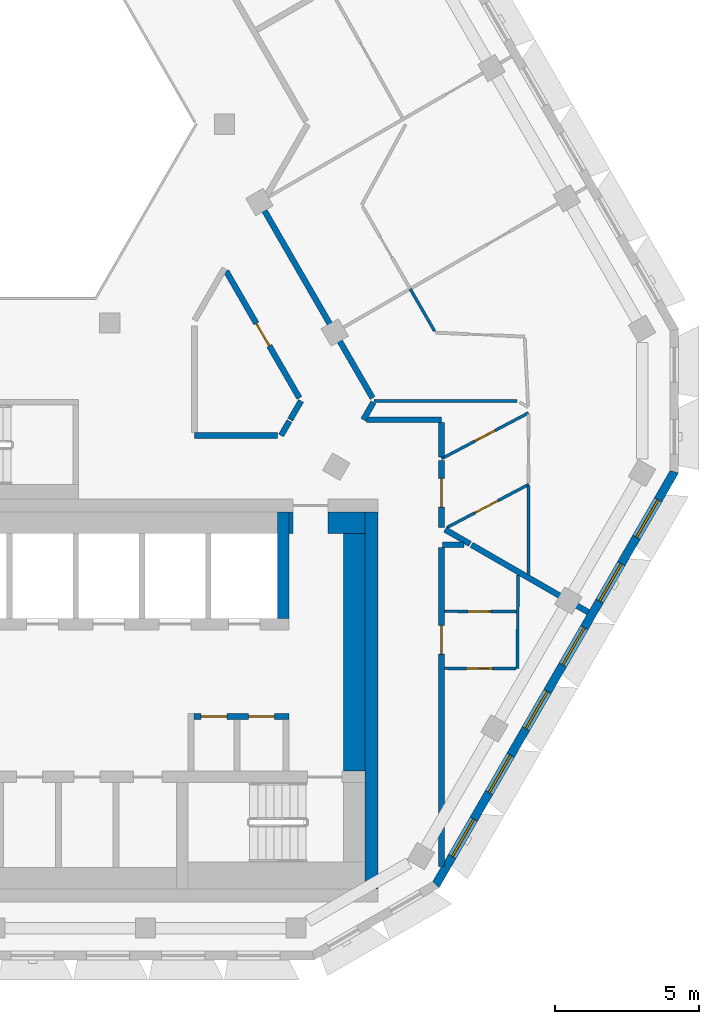
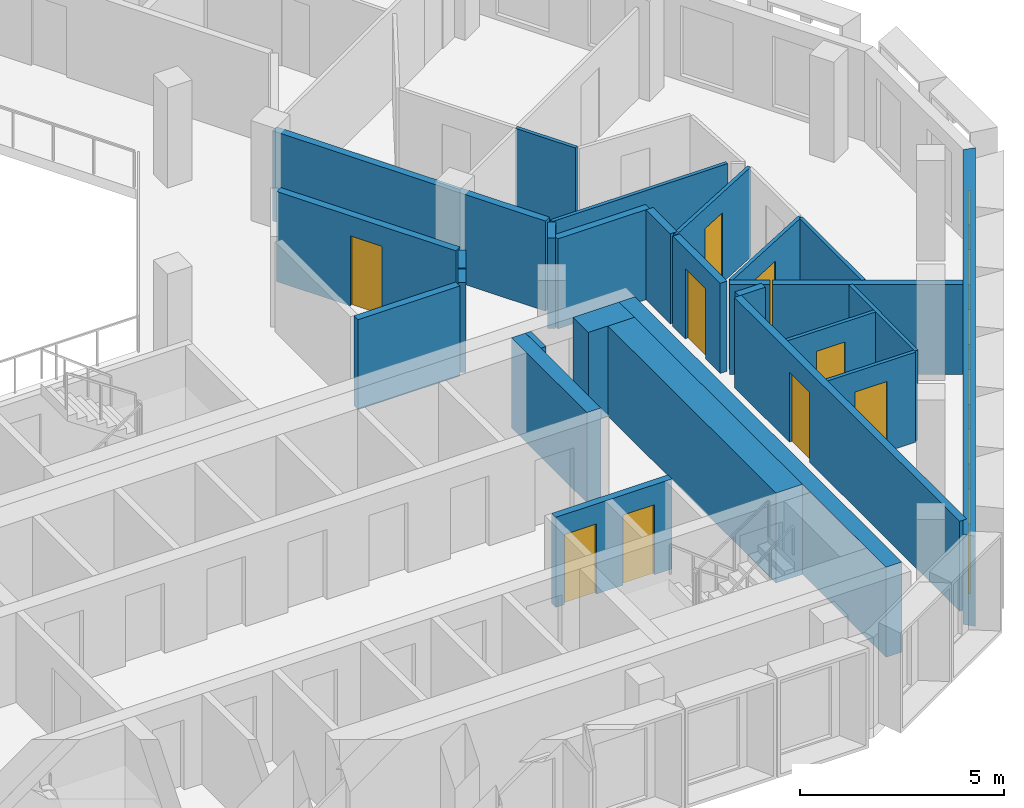
# One storey, part 6 of 16: 28 walls, 9 doors, 6 windows, 15 openings.
"""IFC4 building model written with IfcOpenShell, lengths in metres."""

from ifc_helpers import new_model, si_unit, direction, frame, frame_2d, origin, place, context, subcontext, project, spatial, polyline, rectangle, outline, extrude, material, layer, layer_set, type_object, element, fill, save


model = new_model("IFC4")

# Units and contexts
model_context = context("Model", 3, precision=1e-05, world=origin(), true_north=direction((0.0, 1.0)))
body_context = subcontext(model_context, "Body", "Model", "MODEL_VIEW")
ifc_project = project(units=[si_unit("LENGTHUNIT", "METRE"), si_unit("AREAUNIT", "SQUARE_METRE"), si_unit("VOLUMEUNIT", "CUBIC_METRE"), si_unit("PLANEANGLEUNIT", "RADIAN"), si_unit("MASSUNIT", "GRAM", prefix="KILO")], contexts=[model_context])

# Site, building, storey
site_placement = place(None, origin())
site = spatial("IfcSite", under=ifc_project, at=site_placement, CompositionType="ELEMENT")
building_placement = place(site_placement, origin())
building = spatial("IfcBuilding", under=site, at=building_placement, Name="Beryl Residences", CompositionType="ELEMENT")
storey_placement = place(building_placement, frame((0.0, 0.0, 226.800048828125)))
storey = spatial("IfcBuildingStorey", under=building, at=storey_placement, Name="L70", CompositionType="ELEMENT", Elevation=226.800048828125)

# Wall, openings, windows
ifc_material_1 = material(Name="Composite metal panel with mineral wool insulation")
ifc_layer_1 = layer(ifc_material_1, 0.300048828125)
ifc_layer_set_1 = layer_set([ifc_layer_1], Name="ES1 pale metal composite panel wall 300 mm")
wall_type_1 = type_object("IfcWallType", Name="ES1 pale metal composite panel wall 300 mm", PredefinedType="SOLIDWALL", material=ifc_layer_set_1)
wall_1_placement = place(storey_placement, frame((15.284912109375, -18.425048828125, 0.0), z_axis=(0.0, 0.0, 1.0), x_axis=(0.500012653391, 0.866018098222, 0.0)))
wall_1 = element("IfcWall", 1, at=wall_1_placement, inside=storey, type_object=wall_type_1, Name="ES1 external wall L70 SE", PredefinedType="SOLIDWALL", context=body_context, shape_type="SweptSolid", body=[
    extrude(outline(polyline([(0.0, -0.14990234375), (16.6279296875, -0.14990234375), (16.547607421875, 0.14990234375), (0.080322265625, 0.14990234375), (0.0, -0.14990234375)])), origin(), (0.0, 0.0, 1.0), 2.699951171875),
])
opening_1_placement = place(wall_1_placement, frame((1.1650390625, 0.0, 0.14990234375)))
opening_1 = element("IfcOpeningElement", 2, at=opening_1_placement, cuts=wall_1, Name="Opening W1", PredefinedType="OPENING", context=body_context, shape_type="SweptSolid", body=[
    extrude(rectangle(XDim=1.5, YDim=2.10009765625, at=frame_2d((0.75, 1.050048828125))), frame((0.0, 0.159912109375, 0.0), z_axis=(0.0, -1.0, 0.0), x_axis=(1.0, 0.0, 0.0)), (0.0, 0.0, 1.0), 0.320068359375),
])
opening_2_placement = place(wall_1_placement, frame((3.72412109375, 0.0, 0.14990234375)))
opening_2 = element("IfcOpeningElement", 3, at=opening_2_placement, cuts=wall_1, Name="Opening W1", PredefinedType="OPENING", context=body_context, shape_type="SweptSolid", body=[
    extrude(rectangle(XDim=1.5, YDim=2.10009765625, at=frame_2d((0.75, 1.050048828125))), frame((0.0, 0.159912109375, 0.0), z_axis=(0.0, -1.0, 0.0), x_axis=(1.0, 0.0, 0.0)), (0.0, 0.0, 1.0), 0.320068359375),
])
opening_3_placement = place(wall_1_placement, frame((6.282958984375, 0.0, 0.14990234375)))
opening_3 = element("IfcOpeningElement", 4, at=opening_3_placement, cuts=wall_1, Name="Opening W1", PredefinedType="OPENING", context=body_context, shape_type="SweptSolid", body=[
    extrude(rectangle(XDim=1.5, YDim=2.10009765625, at=frame_2d((0.75, 1.050048828125))), frame((0.0, 0.159912109375, 0.0), z_axis=(0.0, -1.0, 0.0), x_axis=(1.0, 0.0, 0.0)), (0.0, 0.0, 1.0), 0.320068359375),
])
opening_4_placement = place(wall_1_placement, frame((8.843017578125, 0.0, 0.14990234375)))
opening_4 = element("IfcOpeningElement", 5, at=opening_4_placement, cuts=wall_1, Name="Opening W1", PredefinedType="OPENING", context=body_context, shape_type="SweptSolid", body=[
    extrude(rectangle(XDim=1.5, YDim=2.10009765625, at=frame_2d((0.75, 1.050048828125))), frame((0.0, 0.159912109375, 0.0), z_axis=(0.0, -1.0, 0.0), x_axis=(1.0, 0.0, 0.0)), (0.0, 0.0, 1.0), 0.320068359375),
])
opening_5_placement = place(wall_1_placement, frame((11.402099609375, 0.0, 0.14990234375)))
opening_5 = element("IfcOpeningElement", 6, at=opening_5_placement, cuts=wall_1, Name="Opening W1", PredefinedType="OPENING", context=body_context, shape_type="SweptSolid", body=[
    extrude(rectangle(XDim=1.5, YDim=2.10009765625, at=frame_2d((0.75, 1.050048828125))), frame((0.0, 0.159912109375, 0.0), z_axis=(0.0, -1.0, 0.0), x_axis=(1.0, 0.0, 0.0)), (0.0, 0.0, 1.0), 0.320068359375),
])
opening_6_placement = place(wall_1_placement, frame((13.9619140625, 0.0, 0.14990234375)))
opening_6 = element("IfcOpeningElement", 7, at=opening_6_placement, cuts=wall_1, Name="Opening W1", PredefinedType="OPENING", context=body_context, shape_type="SweptSolid", body=[
    extrude(rectangle(XDim=1.5, YDim=2.10009765625, at=frame_2d((0.75, 1.050048828125))), frame((0.0, 0.159912109375, 0.0), z_axis=(0.0, -1.0, 0.0), x_axis=(1.0, 0.0, 0.0)), (0.0, 0.0, 1.0), 0.320068359375),
])
ifc_material_2 = material(Name="Aluminium and clear glass", Category="aluminium")
window_type = type_object("IfcWindowType", Name="W1 cell window 1500 x 2100 mm", PartitioningType="SINGLE_PANEL", PredefinedType="WINDOW", material=ifc_material_2)
window_1_placement = place(opening_1_placement, origin())
window_1 = element("IfcWindow", 8, at=window_1_placement, inside=storey, type_object=window_type, Name="W1 window L70 SE 1", OverallHeight=2.10009765625, OverallWidth=1.5, PartitioningType="SINGLE_PANEL", PredefinedType="WINDOW", context=body_context, shape_type="SweptSolid", body=[
    extrude(rectangle(XDim=1.5, YDim=2.10009765625, at=frame_2d((0.75, 1.050048828125))), frame((0.0, 0.030029296875, 0.0), z_axis=(0.0, -1.0, 0.0), x_axis=(1.0, 0.0, 0.0)), (0.0, 0.0, 1.0), 0.06005859375),
])
fill(opening_1, window_1)
window_2_placement = place(opening_2_placement, origin())
window_2 = element("IfcWindow", 9, at=window_2_placement, inside=storey, type_object=window_type, Name="W1 window L70 SE 2", OverallHeight=2.10009765625, OverallWidth=1.5, PartitioningType="SINGLE_PANEL", PredefinedType="WINDOW", context=body_context, shape_type="SweptSolid", body=[
    extrude(rectangle(XDim=1.5, YDim=2.10009765625, at=frame_2d((0.75, 1.050048828125))), frame((0.0, 0.030029296875, 0.0), z_axis=(0.0, -1.0, 0.0), x_axis=(1.0, 0.0, 0.0)), (0.0, 0.0, 1.0), 0.06005859375),
])
fill(opening_2, window_2)
window_3_placement = place(opening_3_placement, origin())
window_3 = element("IfcWindow", 10, at=window_3_placement, inside=storey, type_object=window_type, Name="W1 window L70 SE 3", OverallHeight=2.10009765625, OverallWidth=1.5, PartitioningType="SINGLE_PANEL", PredefinedType="WINDOW", context=body_context, shape_type="SweptSolid", body=[
    extrude(rectangle(XDim=1.5, YDim=2.10009765625, at=frame_2d((0.75, 1.050048828125))), frame((0.0, 0.030029296875, 0.0), z_axis=(0.0, -1.0, 0.0), x_axis=(1.0, 0.0, 0.0)), (0.0, 0.0, 1.0), 0.06005859375),
])
fill(opening_3, window_3)
window_4_placement = place(opening_4_placement, origin())
window_4 = element("IfcWindow", 11, at=window_4_placement, inside=storey, type_object=window_type, Name="W1 window L70 SE 4", OverallHeight=2.10009765625, OverallWidth=1.5, PartitioningType="SINGLE_PANEL", PredefinedType="WINDOW", context=body_context, shape_type="SweptSolid", body=[
    extrude(rectangle(XDim=1.5, YDim=2.10009765625, at=frame_2d((0.75, 1.050048828125))), frame((0.0, 0.030029296875, 0.0), z_axis=(0.0, -1.0, 0.0), x_axis=(1.0, 0.0, 0.0)), (0.0, 0.0, 1.0), 0.06005859375),
])
fill(opening_4, window_4)
window_5_placement = place(opening_5_placement, origin())
window_5 = element("IfcWindow", 12, at=window_5_placement, inside=storey, type_object=window_type, Name="W1 window L70 SE 5", OverallHeight=2.10009765625, OverallWidth=1.5, PartitioningType="SINGLE_PANEL", PredefinedType="WINDOW", context=body_context, shape_type="SweptSolid", body=[
    extrude(rectangle(XDim=1.5, YDim=2.10009765625, at=frame_2d((0.75, 1.050048828125))), frame((0.0, 0.030029296875, 0.0), z_axis=(0.0, -1.0, 0.0), x_axis=(1.0, 0.0, 0.0)), (0.0, 0.0, 1.0), 0.06005859375),
])
fill(opening_5, window_5)
window_6_placement = place(opening_6_placement, origin())
window_6 = element("IfcWindow", 13, at=window_6_placement, inside=storey, type_object=window_type, Name="W1 window L70 SE 6", OverallHeight=2.10009765625, OverallWidth=1.5, PartitioningType="SINGLE_PANEL", PredefinedType="WINDOW", context=body_context, shape_type="SweptSolid", body=[
    extrude(rectangle(XDim=1.5, YDim=2.10009765625, at=frame_2d((0.75, 1.050048828125))), frame((0.0, 0.030029296875, 0.0), z_axis=(0.0, -1.0, 0.0), x_axis=(1.0, 0.0, 0.0)), (0.0, 0.0, 1.0), 0.06005859375),
])
fill(opening_6, window_6)

# Wall, opening, door
ifc_material_3 = material(Name="Gypsum board partition on steel studs", Category="steel")
ifc_layer_2 = layer(ifc_material_3, 0.10009765625)
ifc_layer_set_2 = layer_set([ifc_layer_2], Name="PT1 partition 100 mm gypsum board on steel studs")
wall_type_2 = type_object("IfcWallType", Name="PT1 partition 100 mm gypsum board on steel studs", PredefinedType="PARTITIONING", material=ifc_layer_set_2)
wall_2_placement = place(storey_placement, frame((15.60009765625, -8.90087890625, 0.0), z_axis=(0.0, 0.0, 1.0), x_axis=(0.999986038514, -0.005284200615, 0.0)))
wall_2 = element("IfcWall", 14, at=wall_2_placement, inside=storey, type_object=wall_type_2, Name="Wall PT1 L70 001", PredefinedType="PARTITIONING", context=body_context, shape_type="SweptSolid", body=[
    extrude(rectangle(XDim=2.494873046875, YDim=0.10009765625, at=frame_2d((1.24755859375, 0.0))), origin(), (0.0, 0.0, 1.0), 2.699951171875),
])
opening_7_placement = place(wall_2_placement, frame((0.822998046875, 0.0, 0.0)))
opening_7 = element("IfcOpeningElement", 15, at=opening_7_placement, cuts=wall_2, Name="Opening D1903", PredefinedType="OPENING", context=body_context, shape_type="SweptSolid", body=[
    extrude(rectangle(XDim=0.800048828125, YDim=2.10009765625, at=frame_2d((0.39990234375, 1.050048828125))), frame((0.0, 0.06005859375, 0.0), z_axis=(0.0, -1.0, 0.0), x_axis=(1.0, 0.0, 0.0)), (0.0, 0.0, 1.0), 0.1201171875),
])
ifc_material_4 = material(Name="Timber door leaf", Category="wood")
door_type_1 = type_object("IfcDoorType", Name="D3 bathroom door 800 x 2100 mm", OperationType="SINGLE_SWING_LEFT", PredefinedType="DOOR", material=ifc_material_4)
door_1_placement = place(opening_7_placement, origin())
door_1 = element("IfcDoor", 16, at=door_1_placement, inside=storey, type_object=door_type_1, Name="Door D1903 L70 001", OperationType="SINGLE_SWING_LEFT", OverallHeight=2.10009765625, OverallWidth=0.800048828125, PredefinedType="DOOR", context=body_context, shape_type="SweptSolid", body=[
    extrude(rectangle(XDim=0.800048828125, YDim=2.10009765625, at=frame_2d((0.39990234375, 1.050048828125))), frame((0.0, 0.02490234375, 0.0), z_axis=(0.0, -1.0, 0.0), x_axis=(1.0, 0.0, 0.0)), (0.0, 0.0, 1.0), 0.050048828125),
])
fill(opening_7, door_1)

wall_3_placement = place(storey_placement, frame((15.60009765625, -10.881103515625, 0.0), z_axis=(0.0, 0.0, 1.0), x_axis=(0.999986431575, -0.005209286502, 0.0)))
wall_3 = element("IfcWall", 17, at=wall_3_placement, inside=storey, type_object=wall_type_2, Name="Wall PT1 L70 002", PredefinedType="PARTITIONING", context=body_context, shape_type="SweptSolid", body=[
    extrude(rectangle(XDim=2.48388671875, YDim=0.10009765625, at=frame_2d((1.241943359375, 0.0))), origin(), (0.0, 0.0, 1.0), 2.699951171875),
])
opening_8_placement = place(wall_3_placement, frame((0.76806640625, 0.0, 0.0)))
opening_8 = element("IfcOpeningElement", 18, at=opening_8_placement, cuts=wall_3, Name="Opening D1902", PredefinedType="OPENING", context=body_context, shape_type="SweptSolid", body=[
    extrude(rectangle(XDim=0.89990234375, YDim=2.10009765625, at=frame_2d((0.449951171875, 1.050048828125))), frame((0.0, 0.06005859375, 0.0), z_axis=(0.0, -1.0, 0.0), x_axis=(1.0, 0.0, 0.0)), (0.0, 0.0, 1.0), 0.1201171875),
])
ifc_material_5 = material(Name="Timber door leaf", Category="wood")
door_type_2 = type_object("IfcDoorType", Name="D2 room door 900 x 2100 mm", OperationType="SINGLE_SWING_LEFT", PredefinedType="DOOR", material=ifc_material_5)
door_2_placement = place(opening_8_placement, origin())
door_2 = element("IfcDoor", 19, at=door_2_placement, inside=storey, type_object=door_type_2, Name="Door D1902 L70 001", OperationType="SINGLE_SWING_RIGHT", OverallHeight=2.10009765625, OverallWidth=0.89990234375, PredefinedType="DOOR", context=body_context, shape_type="SweptSolid", body=[
    extrude(rectangle(XDim=0.89990234375, YDim=2.10009765625, at=frame_2d((0.449951171875, 1.050048828125))), frame((0.0, 0.02490234375, 0.0), z_axis=(0.0, -1.0, 0.0), x_axis=(1.0, 0.0, 0.0)), (0.0, 0.0, 1.0), 0.050048828125),
])
fill(opening_8, door_2)

# Walls
wall_4_placement = place(storey_placement, frame((13.1630859375, -1.59912109375, 0.0), z_axis=(0.0, 0.0, 1.0), x_axis=(1.0, 0.0, 0.0)))
element("IfcWall", 20, at=wall_4_placement, inside=storey, type_object=wall_type_2, Name="Wall PT1 L70 020", PredefinedType="PARTITIONING", context=body_context, shape_type="SweptSolid", body=[
    extrude(rectangle(XDim=4.9619140625, YDim=0.10009765625, at=frame_2d((2.48095703125, 0.0))), origin(), (0.0, 0.0, 1.0), 2.699951171875),
])
wall_5_placement = place(storey_placement, frame((18.135009765625, -10.89306640625, 0.0), z_axis=(0.0, 0.0, 1.0), x_axis=(0.005255182688, 0.999986191432, 0.0)))
element("IfcWall", 21, at=wall_5_placement, inside=storey, type_object=wall_type_2, Name="Wall PT1 L70 032", PredefinedType="PARTITIONING", context=body_context, shape_type="SweptSolid", body=[
    extrude(rectangle(XDim=3.251953125, YDim=0.10009765625, at=frame_2d((1.6259765625, 0.0))), origin(), (0.0, 0.0, 1.0), 2.699951171875),
])
wall_6_placement = place(storey_placement, frame((18.52392578125, -7.625, 0.0), z_axis=(0.0, 0.0, 1.0), x_axis=(0.0, 1.0, 0.0)))
element("IfcWall", 22, at=wall_6_placement, inside=storey, type_object=wall_type_2, Name="Wall PT1 L70 034", PredefinedType="PARTITIONING", context=body_context, shape_type="SweptSolid", body=[
    extrude(rectangle(XDim=3.089111328125, YDim=0.10009765625, at=frame_2d((1.54443359375, 0.0))), origin(), (0.0, 0.0, 1.0), 2.699951171875),
])

# Wall, opening, door
wall_7_placement = place(storey_placement, frame((15.5, -3.60693359375, 0.0), z_axis=(0.0, 0.0, 1.0), x_axis=(0.884626030835, 0.466301174745, 0.0)))
wall_7 = element("IfcWall", 23, at=wall_7_placement, inside=storey, type_object=wall_type_2, Name="Wall PT1 L70 036", PredefinedType="PARTITIONING", context=body_context, shape_type="SweptSolid", body=[
    extrude(rectangle(XDim=3.409423828125, YDim=0.10009765625, at=frame_2d((1.70458984375, 0.0))), origin(), (0.0, 0.0, 1.0), 2.699951171875),
])
opening_9_placement = place(wall_7_placement, frame((1.304931640625, 0.0, 0.0)))
opening_9 = element("IfcOpeningElement", 24, at=opening_9_placement, cuts=wall_7, Name="Opening D1905", PredefinedType="OPENING", context=body_context, shape_type="SweptSolid", body=[
    extrude(rectangle(XDim=0.800048828125, YDim=2.10009765625, at=frame_2d((0.39990234375, 1.050048828125))), frame((0.0, 0.06005859375, 0.0), z_axis=(0.0, -1.0, 0.0), x_axis=(1.0, 0.0, 0.0)), (0.0, 0.0, 1.0), 0.1201171875),
])
door_3_placement = place(opening_9_placement, origin())
door_3 = element("IfcDoor", 25, at=door_3_placement, inside=storey, type_object=door_type_1, Name="Door D1905 L70 001", OperationType="SINGLE_SWING_LEFT", OverallHeight=2.10009765625, OverallWidth=0.800048828125, PredefinedType="DOOR", context=body_context, shape_type="SweptSolid", body=[
    extrude(rectangle(XDim=0.800048828125, YDim=2.10009765625, at=frame_2d((0.39990234375, 1.050048828125))), frame((0.0, 0.02490234375, 0.0), z_axis=(0.0, -1.0, 0.0), x_axis=(1.0, 0.0, 0.0)), (0.0, 0.0, 1.0), 0.050048828125),
])
fill(opening_9, door_3)

wall_8_placement = place(storey_placement, frame((15.695068359375, -5.991943359375, 0.0), z_axis=(0.0, 0.0, 1.0), x_axis=(0.884522140369, 0.466498213498, 0.0)))
wall_8 = element("IfcWall", 26, at=wall_8_placement, inside=storey, type_object=wall_type_2, Name="Wall PT1 L70 037", PredefinedType="PARTITIONING", context=body_context, shape_type="SweptSolid", body=[
    extrude(rectangle(XDim=3.1982421875, YDim=0.10009765625, at=frame_2d((1.59912109375, 0.0))), origin(), (0.0, 0.0, 1.0), 2.699951171875),
])
opening_10_placement = place(wall_8_placement, frame((1.090087890625, 0.0, 0.0)))
opening_10 = element("IfcOpeningElement", 27, at=opening_10_placement, cuts=wall_8, Name="Opening D1906", PredefinedType="OPENING", context=body_context, shape_type="SweptSolid", body=[
    extrude(rectangle(XDim=0.89990234375, YDim=2.10009765625, at=frame_2d((0.449951171875, 1.050048828125))), frame((0.0, 0.06005859375, 0.0), z_axis=(0.0, -1.0, 0.0), x_axis=(1.0, 0.0, 0.0)), (0.0, 0.0, 1.0), 0.1201171875),
])
door_4_placement = place(opening_10_placement, origin())
door_4 = element("IfcDoor", 28, at=door_4_placement, inside=storey, type_object=door_type_2, Name="Door D1906 L70 001", OperationType="SINGLE_SWING_RIGHT", OverallHeight=2.10009765625, OverallWidth=0.89990234375, PredefinedType="DOOR", context=body_context, shape_type="SweptSolid", body=[
    extrude(rectangle(XDim=0.89990234375, YDim=2.10009765625, at=frame_2d((0.449951171875, 1.050048828125))), frame((0.0, 0.02490234375, 0.0), z_axis=(0.0, -1.0, 0.0), x_axis=(1.0, 0.0, 0.0)), (0.0, 0.0, 1.0), 0.050048828125),
])
fill(opening_10, door_4)

# Wall
wall_9_placement = place(storey_placement, frame((14.410888671875, 2.2880859375, 0.0), z_axis=(0.0, 0.0, 1.0), x_axis=(0.500009005995, -0.866020204108, 0.0)))
element("IfcWall", 29, at=wall_9_placement, inside=storey, type_object=wall_type_2, Name="Wall PT1 L70 044", PredefinedType="PARTITIONING", context=body_context, shape_type="SweptSolid", body=[
    extrude(rectangle(XDim=1.6962890625, YDim=0.10009765625, at=frame_2d((0.84814453125, 0.0))), origin(), (0.0, 0.0, 1.0), 2.699951171875),
])

# Wall, openings, doors
ifc_material_6 = material(Name="Concrete masonry", Category="masonry")
ifc_layer_3 = layer(ifc_material_6, 0.199951171875)
ifc_layer_set_3 = layer_set([ifc_layer_3], Name="PT13 lobby wall 200 mm")
wall_type_3 = type_object("IfcWallType", Name="PT13 lobby wall 200 mm", PredefinedType="PARTITIONING", material=ifc_layer_set_3)
wall_10_placement = place(storey_placement, frame((6.89990234375, -12.550048828125, 0.0), z_axis=(0.0, 0.0, 1.0), x_axis=(1.0, 0.0, 0.0)))
wall_10 = element("IfcWall", 30, at=wall_10_placement, inside=storey, type_object=wall_type_3, Name="Lobby wall 28", PredefinedType="PARTITIONING", context=body_context, shape_type="SweptSolid", body=[
    extrude(rectangle(XDim=3.300048828125, YDim=0.199951171875, at=frame_2d((1.64990234375, 0.0))), origin(), (0.0, 0.0, 1.0), 2.699951171875),
])
opening_11_placement = place(wall_10_placement, frame((1.14990234375, 0.0, 0.0), z_axis=(0.0, 0.0, 1.0), x_axis=(-1.0, 0.0, 0.0)))
opening_11 = element("IfcOpeningElement", 31, at=opening_11_placement, cuts=wall_10, Name="Opening CD-D-A1-900", PredefinedType="OPENING", context=body_context, shape_type="SweptSolid", body=[
    extrude(rectangle(XDim=0.89990234375, YDim=2.10009765625, at=frame_2d((0.449951171875, 1.050048828125))), frame((0.0, 0.10986328125, 0.0), z_axis=(0.0, -1.0, 0.0), x_axis=(1.0, 0.0, 0.0)), (0.0, 0.0, 1.0), 0.219970703125),
])
opening_12_placement = place(wall_10_placement, frame((2.7998046875, 0.0, 0.0), z_axis=(0.0, 0.0, 1.0), x_axis=(-1.0, 0.0, 0.0)))
opening_12 = element("IfcOpeningElement", 32, at=opening_12_placement, cuts=wall_10, Name="Opening CD-D-A2-900", PredefinedType="OPENING", context=body_context, shape_type="SweptSolid", body=[
    extrude(rectangle(XDim=0.89990234375, YDim=2.10009765625, at=frame_2d((0.449951171875, 1.050048828125))), frame((0.0, 0.10986328125, 0.0), z_axis=(0.0, -1.0, 0.0), x_axis=(1.0, 0.0, 0.0)), (0.0, 0.0, 1.0), 0.219970703125),
])
ifc_material_7 = material(Name="Steel door leaf in steel frame", Category="steel")
door_type_3 = type_object("IfcDoorType", Name="D6 service room door 900 x 2100 mm", OperationType="SINGLE_SWING_LEFT", PredefinedType="DOOR", material=ifc_material_7)
door_5_placement = place(opening_11_placement, origin())
door_5 = element("IfcDoor", 33, at=door_5_placement, inside=storey, type_object=door_type_3, Name="Door CD-D-A1-900 L70 001", OperationType="SINGLE_SWING_RIGHT", OverallHeight=2.10009765625, OverallWidth=0.89990234375, PredefinedType="DOOR", context=body_context, shape_type="SweptSolid", body=[
    extrude(rectangle(XDim=0.89990234375, YDim=2.10009765625, at=frame_2d((0.449951171875, 1.050048828125))), frame((0.0, 0.02490234375, 0.0), z_axis=(0.0, -1.0, 0.0), x_axis=(1.0, 0.0, 0.0)), (0.0, 0.0, 1.0), 0.050048828125),
])
fill(opening_11, door_5)
door_6_placement = place(opening_12_placement, origin())
door_6 = element("IfcDoor", 34, at=door_6_placement, inside=storey, type_object=door_type_3, Name="Door CD-D-A2-900 L70 001", OperationType="SINGLE_SWING_LEFT", OverallHeight=2.10009765625, OverallWidth=0.89990234375, PredefinedType="DOOR", context=body_context, shape_type="SweptSolid", body=[
    extrude(rectangle(XDim=0.89990234375, YDim=2.10009765625, at=frame_2d((0.449951171875, 1.050048828125))), frame((0.0, 0.02490234375, 0.0), z_axis=(0.0, -1.0, 0.0), x_axis=(1.0, 0.0, 0.0)), (0.0, 0.0, 1.0), 0.050048828125),
])
fill(opening_12, door_6)

# Walls
ifc_material_8 = material(Name="Concrete masonry", Category="masonry")
ifc_layer_4 = layer(ifc_material_8, 0.14990234375)
ifc_layer_set_4 = layer_set([ifc_layer_4], Name="PT13-150 lobby wall 150 mm")
wall_type_4 = type_object("IfcWallType", Name="PT13-150 lobby wall 150 mm", PredefinedType="PARTITIONING", material=ifc_layer_set_4)
wall_11_placement = place(storey_placement, frame((10.27490234375, -6.199951171875, 0.0), z_axis=(0.0, 0.0, 1.0), x_axis=(0.0, 1.0, 0.0)))
element("IfcWall", 35, at=wall_11_placement, inside=storey, type_object=wall_type_4, Name="Lobby wall 32", PredefinedType="PARTITIONING", context=body_context, shape_type="SweptSolid", body=[
    extrude(rectangle(XDim=0.75, YDim=0.14990234375, at=frame_2d((0.375, 0.0))), origin(), (0.0, 0.0, 1.0), 2.699951171875),
])
ifc_material_9 = material(Name="Concrete masonry", Category="masonry")
ifc_layer_5 = layer(ifc_material_9, 0.75)
ifc_layer_set_5 = layer_set([ifc_layer_5], Name="PT13-750 lobby wall 750 mm")
wall_type_5 = type_object("IfcWallType", Name="PT13-750 lobby wall 750 mm", PredefinedType="PARTITIONING", material=ifc_layer_set_5)
wall_12_placement = place(storey_placement, frame((11.550048828125, -5.824951171875, 0.0), z_axis=(0.0, 0.0, 1.0), x_axis=(1.0, 0.0, 0.0)))
element("IfcWall", 36, at=wall_12_placement, inside=storey, type_object=wall_type_5, Name="Lobby wall 33", PredefinedType="PARTITIONING", context=body_context, shape_type="SweptSolid", body=[
    extrude(rectangle(XDim=1.300048828125, YDim=0.75, at=frame_2d((0.64990234375, 0.0))), origin(), (0.0, 0.0, 1.0), 2.699951171875),
])
wall_13_placement = place(storey_placement, frame((12.47509765625, -14.449951171875, 0.0), z_axis=(0.0, 0.0, 1.0), x_axis=(0.0, 1.0, 0.0)))
element("IfcWall", 37, at=wall_13_placement, inside=storey, type_object=wall_type_5, Name="Lobby wall 35", PredefinedType="PARTITIONING", context=body_context, shape_type="SweptSolid", body=[
    extrude(rectangle(XDim=8.25, YDim=0.75, at=frame_2d((4.125, 0.0))), origin(), (0.0, 0.0, 1.0), 2.699951171875),
])
ifc_material_10 = material(Name="Acoustic double stud gypsum board wall")
ifc_layer_6 = layer(ifc_material_10, 0.199951171875)
ifc_layer_set_6 = layer_set([ifc_layer_6], Name="PT3 party wall 200 mm acoustic double stud")
wall_type_6 = type_object("IfcWallType", Name="PT3 party wall 200 mm acoustic double stud", PredefinedType="PARTITIONING", material=ifc_layer_set_6)
wall_14_placement = place(storey_placement, frame((15.530029296875, -6.591064453125, 0.0), z_axis=(0.0, 0.0, 1.0), x_axis=(0.999992350786, -0.003911312976, 0.0)))
element("IfcWall", 38, at=wall_14_placement, inside=storey, type_object=wall_type_6, Name="Wall PT3 L70 001", PredefinedType="PARTITIONING", context=body_context, shape_type="SweptSolid", body=[
    extrude(rectangle(XDim=0.7490234375, YDim=0.199951171875, at=frame_2d((0.37451171875, 0.0))), origin(), (0.0, 0.0, 1.0), 2.699951171875),
])
wall_15_placement = place(storey_placement, frame((15.62109375, -6.06494140625, 0.0), z_axis=(0.0, 0.0, 1.0), x_axis=(0.866254619292, -0.49960277677, 0.0)))
element("IfcWall", 39, at=wall_15_placement, inside=storey, type_object=wall_type_6, Name="Wall PT3 L70 005", PredefinedType="PARTITIONING", context=body_context, shape_type="SweptSolid", body=[
    extrude(rectangle(XDim=1.000732421875, YDim=0.199951171875, at=frame_2d((0.50048828125, 0.0))), origin(), (0.0, 0.0, 1.0), 2.699951171875),
])
wall_16_placement = place(storey_placement, frame((16.541015625, -6.595947265625, 0.0), z_axis=(0.0, 0.0, 1.0), x_axis=(0.866040404911, -0.499974016386, 0.0)))
element("IfcWall", 40, at=wall_16_placement, inside=storey, type_object=wall_type_6, Name="Wall PT3 L70 006", PredefinedType="PARTITIONING", context=body_context, shape_type="SweptSolid", body=[
    extrude(rectangle(XDim=4.676513671875, YDim=0.199951171875, at=frame_2d((2.33837890625, 0.0))), origin(), (0.0, 0.0, 1.0), 2.699951171875),
])

# Wall, opening, door
ifc_material_11 = material(Name="Double stud gypsum board wall")
ifc_layer_7 = layer(ifc_material_11, 0.199951171875)
ifc_layer_set_7 = layer_set([ifc_layer_7], Name="PT4 corridor wall 200 mm double stud")
wall_type_7 = type_object("IfcWallType", Name="PT4 corridor wall 200 mm double stud", PredefinedType="PARTITIONING", material=ifc_layer_set_7)
wall_17_placement = place(storey_placement, frame((8.02587890625, 2.89892578125, 0.0), z_axis=(0.0, 0.0, 1.0), x_axis=(0.499986018985, -0.866033475577, 0.0)))
wall_17 = element("IfcWall", 41, at=wall_17_placement, inside=storey, type_object=wall_type_7, Name="Wall PT4 L70 005", PredefinedType="PARTITIONING", context=body_context, shape_type="SweptSolid", body=[
    extrude(rectangle(XDim=5.078369140625, YDim=0.199951171875, at=frame_2d((2.5390625, 0.0))), origin(), (0.0, 0.0, 1.0), 2.699951171875),
])
opening_13_placement = place(wall_17_placement, frame((2.089111328125, 0.0, 0.0)))
opening_13 = element("IfcOpeningElement", 42, at=opening_13_placement, cuts=wall_17, Name="Opening D1938", PredefinedType="OPENING", context=body_context, shape_type="SweptSolid", body=[
    extrude(rectangle(XDim=0.89990234375, YDim=2.10009765625, at=frame_2d((0.449951171875, 1.050048828125))), frame((0.0, 0.10986328125, 0.0), z_axis=(0.0, -1.0, 0.0), x_axis=(1.0, 0.0, 0.0)), (0.0, 0.0, 1.0), 0.219970703125),
])
door_7_placement = place(opening_13_placement, origin())
door_7 = element("IfcDoor", 43, at=door_7_placement, inside=storey, type_object=door_type_2, Name="Door D1938 L70 001", OperationType="SINGLE_SWING_RIGHT", OverallHeight=2.10009765625, OverallWidth=0.89990234375, PredefinedType="DOOR", context=body_context, shape_type="SweptSolid", body=[
    extrude(rectangle(XDim=0.89990234375, YDim=2.10009765625, at=frame_2d((0.449951171875, 1.050048828125))), frame((0.0, 0.02490234375, 0.0), z_axis=(0.0, -1.0, 0.0), x_axis=(1.0, 0.0, 0.0)), (0.0, 0.0, 1.0), 0.050048828125),
])
fill(opening_13, door_7)

# Walls
wall_18_placement = place(storey_placement, frame((9.238037109375, 5.199951171875, 0.0), z_axis=(0.0, 0.0, 1.0), x_axis=(0.500025705601, -0.86601056214, 0.0)))
element("IfcWall", 44, at=wall_18_placement, inside=storey, type_object=wall_type_7, Name="Wall PT4 L70 006", PredefinedType="PARTITIONING", context=body_context, shape_type="SweptSolid", body=[
    extrude(rectangle(XDim=7.7353515625, YDim=0.199951171875, at=frame_2d((3.86767578125, 0.0))), origin(), (0.0, 0.0, 1.0), 2.699951171875),
])
wall_19_placement = place(storey_placement, frame((15.5, -2.35595703125, 0.0), z_axis=(0.0, 0.0, 1.0), x_axis=(0.0, -1.0, 0.0)))
element("IfcWall", 45, at=wall_19_placement, inside=storey, type_object=wall_type_7, Name="Wall PT4 L70 010", PredefinedType="PARTITIONING", context=body_context, shape_type="SweptSolid", body=[
    extrude(rectangle(XDim=1.195068359375, YDim=0.199951171875, at=frame_2d((0.59765625, 0.0))), origin(), (0.0, 0.0, 1.0), 2.699951171875),
])
wall_20_placement = place(storey_placement, frame((12.902099609375, -2.256103515625, 0.0), z_axis=(0.0, 0.0, 1.0), x_axis=(1.0, 0.0, 0.0)))
element("IfcWall", 46, at=wall_20_placement, inside=storey, type_object=wall_type_7, Name="Wall PT4 L70 013", PredefinedType="PARTITIONING", context=body_context, shape_type="SweptSolid", body=[
    extrude(rectangle(XDim=2.597900390625, YDim=0.199951171875, at=frame_2d((1.298828125, 0.0))), origin(), (0.0, 0.0, 1.0), 2.699951171875),
])
wall_21_placement = place(storey_placement, frame((6.928955078125, -2.800048828125, 0.0), z_axis=(0.0, 0.0, 1.0), x_axis=(1.0, 0.0, 0.0)))
element("IfcWall", 47, at=wall_21_placement, inside=storey, type_object=wall_type_7, Name="Wall PT4 L70 016", PredefinedType="PARTITIONING", context=body_context, shape_type="SweptSolid", body=[
    extrude(rectangle(XDim=2.885009765625, YDim=0.199951171875, at=frame_2d((1.4423828125, 0.0))), origin(), (0.0, 0.0, 1.0), 2.699951171875),
])
wall_22_placement = place(storey_placement, frame((9.929931640625, -2.800048828125, 0.0), z_axis=(0.0, 0.0, 1.0), x_axis=(0.500164219654, 0.865930570761, 0.0)))
element("IfcWall", 48, at=wall_22_placement, inside=storey, type_object=wall_type_7, Name="Wall PT4 L70 020", PredefinedType="PARTITIONING", context=body_context, shape_type="SweptSolid", body=[
    extrude(rectangle(XDim=0.573974609375, YDim=0.199951171875, at=frame_2d((0.287109375, 0.0))), origin(), (0.0, 0.0, 1.0), 2.699951171875),
])
wall_23_placement = place(storey_placement, frame((10.243896484375, -2.2548828125, 0.0), z_axis=(0.0, 0.0, 1.0), x_axis=(0.50109986513, 0.865389464442, 0.0)))
element("IfcWall", 49, at=wall_23_placement, inside=storey, type_object=wall_type_7, Name="Wall PT4 L70 021", PredefinedType="PARTITIONING", context=body_context, shape_type="SweptSolid", body=[
    extrude(rectangle(XDim=0.756591796875, YDim=0.199951171875, at=frame_2d((0.37841796875, 0.0))), origin(), (0.0, 0.0, 1.0), 2.699951171875),
])
wall_24_placement = place(storey_placement, frame((12.784912109375, -2.25390625, 0.0), z_axis=(0.0, 0.0, 1.0), x_axis=(0.500871040665, 0.865521923826, 0.0)))
element("IfcWall", 50, at=wall_24_placement, inside=storey, type_object=wall_type_7, Name="Wall PT4 L70 022", PredefinedType="PARTITIONING", context=body_context, shape_type="SweptSolid", body=[
    extrude(rectangle(XDim=0.698974609375, YDim=0.199951171875, at=frame_2d((0.349609375, 0.0))), origin(), (0.0, 0.0, 1.0), 2.699951171875),
])

# Wall, opening, door
wall_25_placement = place(storey_placement, frame((15.5, -17.751953125, 0.0), z_axis=(0.0, 0.0, 1.0), x_axis=(0.0, 1.0, 0.0)))
wall_25 = element("IfcWall", 51, at=wall_25_placement, inside=storey, type_object=wall_type_7, Name="Wall PT4 L70 026", PredefinedType="PARTITIONING", context=body_context, shape_type="SweptSolid", body=[
    extrude(rectangle(XDim=11.06201171875, YDim=0.199951171875, at=frame_2d((5.531005859375, 0.0))), origin(), (0.0, 0.0, 1.0), 2.699951171875),
])
opening_14_placement = place(wall_25_placement, frame((7.361083984375, 0.0, 0.0)))
opening_14 = element("IfcOpeningElement", 52, at=opening_14_placement, cuts=wall_25, Name="Opening D1901", PredefinedType="OPENING", context=body_context, shape_type="SweptSolid", body=[
    extrude(rectangle(XDim=1.0, YDim=2.10009765625, at=frame_2d((0.5, 1.050048828125))), frame((0.0, 0.10986328125, 0.0), z_axis=(0.0, -1.0, 0.0), x_axis=(1.0, 0.0, 0.0)), (0.0, 0.0, 1.0), 0.219970703125),
])
ifc_material_12 = material(Name="Timber door leaf", Category="wood")
door_type_4 = type_object("IfcDoorType", Name="D1 flat entrance door 1000 x 2100 mm", OperationType="SINGLE_SWING_LEFT", PredefinedType="DOOR", material=ifc_material_12)
door_8_placement = place(opening_14_placement, origin())
door_8 = element("IfcDoor", 53, at=door_8_placement, inside=storey, type_object=door_type_4, Name="Door D1901 L70 001", OperationType="SINGLE_SWING_LEFT", OverallHeight=2.10009765625, OverallWidth=1.0, PredefinedType="DOOR", context=body_context, shape_type="SweptSolid", body=[
    extrude(rectangle(XDim=1.0, YDim=2.10009765625, at=frame_2d((0.5, 1.050048828125))), frame((0.0, 0.02490234375, 0.0), z_axis=(0.0, -1.0, 0.0), x_axis=(1.0, 0.0, 0.0)), (0.0, 0.0, 1.0), 0.050048828125),
])
fill(opening_14, door_8)

wall_26_placement = place(storey_placement, frame((15.5, -5.9951171875, 0.0), z_axis=(0.0, 0.0, 1.0), x_axis=(0.0, 1.0, 0.0)))
wall_26 = element("IfcWall", 54, at=wall_26_placement, inside=storey, type_object=wall_type_7, Name="Wall PT4 L70 027", PredefinedType="PARTITIONING", context=body_context, shape_type="SweptSolid", body=[
    extrude(rectangle(XDim=2.3310546875, YDim=0.199951171875, at=frame_2d((1.16552734375, 0.0))), origin(), (0.0, 0.0, 1.0), 2.699951171875),
])
opening_15_placement = place(wall_26_placement, frame((0.708984375, 0.0, 0.0)))
opening_15 = element("IfcOpeningElement", 55, at=opening_15_placement, cuts=wall_26, Name="Opening D1904", PredefinedType="OPENING", context=body_context, shape_type="SweptSolid", body=[
    extrude(rectangle(XDim=1.0, YDim=2.10009765625, at=frame_2d((0.5, 1.050048828125))), frame((0.0, 0.10986328125, 0.0), z_axis=(0.0, -1.0, 0.0), x_axis=(1.0, 0.0, 0.0)), (0.0, 0.0, 1.0), 0.219970703125),
])
door_9_placement = place(opening_15_placement, origin())
door_9 = element("IfcDoor", 56, at=door_9_placement, inside=storey, type_object=door_type_4, Name="Door D1904 L70 001", OperationType="SINGLE_SWING_RIGHT", OverallHeight=2.10009765625, OverallWidth=1.0, PredefinedType="DOOR", context=body_context, shape_type="SweptSolid", body=[
    extrude(rectangle(XDim=1.0, YDim=2.10009765625, at=frame_2d((0.5, 1.050048828125))), frame((0.0, 0.02490234375, 0.0), z_axis=(0.0, -1.0, 0.0), x_axis=(1.0, 0.0, 0.0)), (0.0, 0.0, 1.0), 0.050048828125),
])
fill(opening_15, door_9)

# Walls
ifc_material_13 = material(Name="Concrete C50/60", Category="concrete")
ifc_layer_8 = layer(ifc_material_13, 0.39990234375)
ifc_layer_set_8 = layer_set([ifc_layer_8], Name="SW10 core internal wall 400 mm C50/60")
wall_type_8 = type_object("IfcWallType", Name="SW10 core internal wall 400 mm C50/60", PredefinedType="SHEAR", material=ifc_layer_set_8)
wall_27_placement = place(storey_placement, frame((10.0, -9.14990234375, 0.0), z_axis=(0.0, 0.0, 1.0), x_axis=(0.0, 1.0, 0.0)))
element("IfcWall", 57, at=wall_27_placement, inside=storey, type_object=wall_type_8, Name="Core wall XN2 L70", PredefinedType="SHEAR", context=body_context, shape_type="SweptSolid", body=[
    extrude(rectangle(XDim=3.699951171875, YDim=0.39990234375, at=frame_2d((1.85009765625, 0.0))), origin(), (0.0, 0.0, 1.0), 2.699951171875),
])
ifc_material_14 = material(Name="Concrete C50/60", Category="concrete")
ifc_layer_9 = layer(ifc_material_14, 0.449951171875)
ifc_layer_set_9 = layer_set([ifc_layer_9], Name="SW5 core outer wall 450 mm C50/60")
wall_type_9 = type_object("IfcWallType", Name="SW5 core outer wall 450 mm C50/60", PredefinedType="SHEAR", material=ifc_layer_set_9)
wall_28_placement = place(storey_placement, frame((13.074951171875, -18.550048828125, 0.0), z_axis=(0.0, 0.0, 1.0), x_axis=(0.0, 1.0, 0.0)))
element("IfcWall", 58, at=wall_28_placement, inside=storey, type_object=wall_type_9, Name="Core wall E L70", PredefinedType="SHEAR", context=body_context, shape_type="SweptSolid", body=[
    extrude(rectangle(XDim=13.10009765625, YDim=0.449951171875, at=frame_2d((6.550048828125, 0.0))), origin(), (0.0, 0.0, 1.0), 2.699951171875),
])

save(model, "model.ifc")
